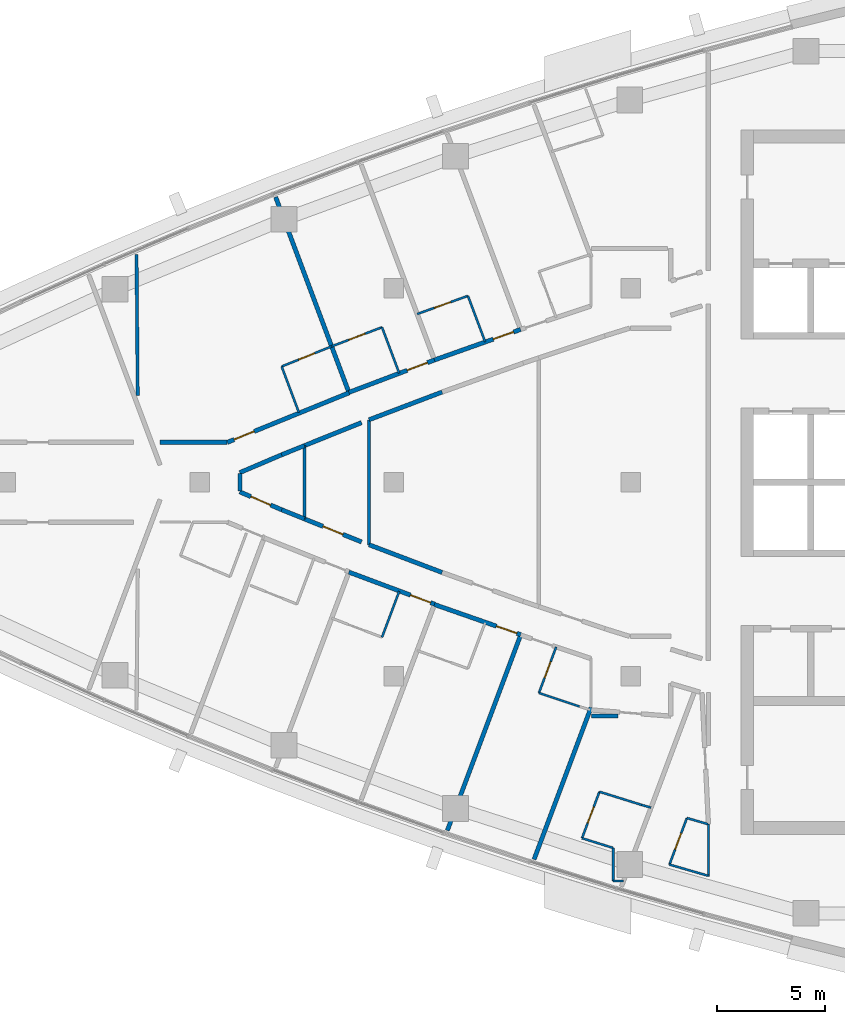
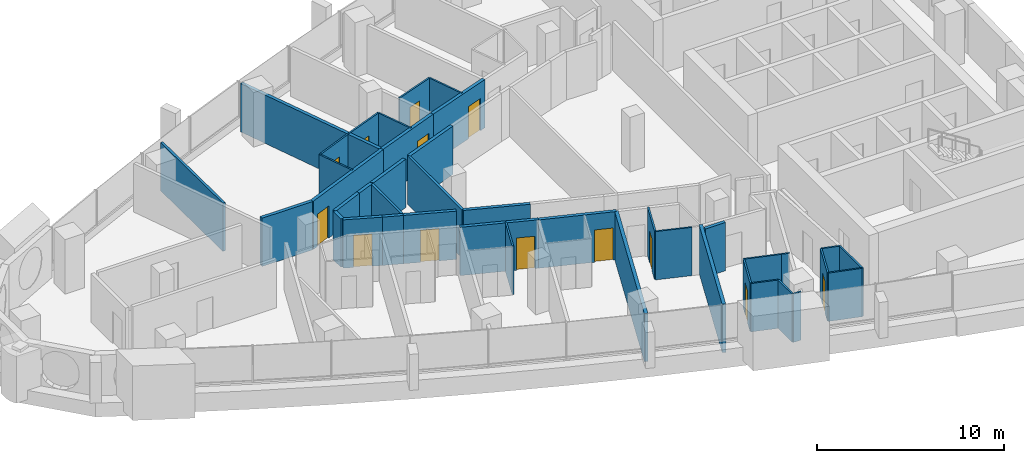
# One storey, part 9 of 16: 41 walls, 13 doors, 13 openings.
"""IFC4 building model written with IfcOpenShell, lengths in metres."""

from ifc_helpers import new_model, si_unit, direction, frame, frame_2d, origin, place, context, subcontext, project, spatial, rectangle, extrude, material, layer, layer_set, type_object, element, fill, save


model = new_model("IFC4")

# Units and contexts
model_context = context("Model", 3, precision=1e-05, world=origin(), true_north=direction((0.0, 1.0)))
body_context = subcontext(model_context, "Body", "Model", "MODEL_VIEW")
ifc_project = project(units=[si_unit("LENGTHUNIT", "METRE"), si_unit("AREAUNIT", "SQUARE_METRE"), si_unit("VOLUMEUNIT", "CUBIC_METRE"), si_unit("PLANEANGLEUNIT", "RADIAN"), si_unit("MASSUNIT", "GRAM", prefix="KILO")], contexts=[model_context])

# Site, building, storey
site_placement = place(None, origin())
site = spatial("IfcSite", under=ifc_project, at=site_placement, CompositionType="ELEMENT")
building_placement = place(site_placement, origin())
building = spatial("IfcBuilding", under=site, at=building_placement, Name="Ostrand Prow Hotel Tower", CompositionType="ELEMENT")
storey_placement = place(building_placement, frame((0.0, 0.0, 252.75)))
storey = spatial("IfcBuildingStorey", under=building, at=storey_placement, Name="L64", CompositionType="ELEMENT", Elevation=252.75)

# Wall, opening, door
ifc_material_1 = material(Name="Plasterboard partition")
ifc_layer_1 = layer(ifc_material_1, 0.10009765625)
ifc_layer_set_1 = layer_set([ifc_layer_1], Name="Plasterboard partition")
wall_type_1 = type_object("IfcWallType", Name="Partition 100 bathroom wall", PredefinedType="PARTITIONING", material=ifc_layer_set_1)
wall_1_placement = place(storey_placement, frame((28.79296875, 5.37158203125, 0.0), z_axis=(0.0, 0.0, 1.0), x_axis=(0.92761232595, 0.373544338394, 0.0)))
wall_1 = element("IfcWall", 1, at=wall_1_placement, inside=storey, type_object=wall_type_1, Name="BATHROOM WALL", PredefinedType="PARTITIONING", context=body_context, shape_type="SweptSolid", body=[
    extrude(rectangle(XDim=2.50048828125, YDim=0.10009765625, at=frame_2d((1.250244140625, 0.0))), origin(), (0.0, 0.0, 1.0), 3.14990234375),
])
opening_1_placement = place(wall_1_placement, frame((0.85009765625, 0.0, 0.0)))
opening_1 = element("IfcOpeningElement", 2, at=opening_1_placement, cuts=wall_1, Name="Opening D2", PredefinedType="OPENING", context=body_context, shape_type="SweptSolid", body=[
    extrude(rectangle(XDim=0.800048828125, YDim=2.10009765625, at=frame_2d((0.39990234375, 1.050048828125))), frame((0.0, 0.06005859375, 0.0), z_axis=(0.0, -1.0, 0.0), x_axis=(1.0, 0.0, 0.0)), (0.0, 0.0, 1.0), 0.1201171875),
])
ifc_material_2 = material(Name="Timber door leaf", Category="wood")
door_type_1 = type_object("IfcDoorType", Name="Bathroom door 800", OperationType="SINGLE_SWING_LEFT", PredefinedType="DOOR", material=ifc_material_2)
door_1_placement = place(opening_1_placement, origin())
door_1 = element("IfcDoor", 3, at=door_1_placement, inside=storey, type_object=door_type_1, Name="DOOR", OperationType="SINGLE_SWING_LEFT", OverallHeight=2.10009765625, OverallWidth=0.800048828125, PredefinedType="DOOR", context=body_context, shape_type="SweptSolid", body=[
    extrude(rectangle(XDim=0.800048828125, YDim=2.10009765625, at=frame_2d((0.39990234375, 1.050048828125))), frame((0.0, 0.02490234375, 0.0), z_axis=(0.0, -1.0, 0.0), x_axis=(1.0, 0.0, 0.0)), (0.0, 0.0, 1.0), 0.050048828125),
])
fill(opening_1, door_1)

# Wall
wall_2_placement = place(storey_placement, frame((29.592529296875, 3.23876953125, 0.0), z_axis=(0.0, 0.0, 1.0), x_axis=(-0.351158682313, 0.936315961541, 0.0)))
element("IfcWall", 4, at=wall_2_placement, inside=storey, type_object=wall_type_1, Name="BATHROOM WALL", PredefinedType="PARTITIONING", context=body_context, shape_type="SweptSolid", body=[
    extrude(rectangle(XDim=2.277587890625, YDim=0.10009765625, at=frame_2d((1.138671875, 0.0))), origin(), (0.0, 0.0, 1.0), 3.14990234375),
])

# Wall, opening, door
wall_3_placement = place(storey_placement, frame((31.117431640625, 6.3076171875, 0.0), z_axis=(0.0, 0.0, 1.0), x_axis=(0.93495051617, 0.354778145202, 0.0)))
wall_3 = element("IfcWall", 5, at=wall_3_placement, inside=storey, type_object=wall_type_1, Name="BATHROOM WALL", PredefinedType="PARTITIONING", context=body_context, shape_type="SweptSolid", body=[
    extrude(rectangle(XDim=2.49462890625, YDim=0.10009765625, at=frame_2d((1.247314453125, 0.0))), origin(), (0.0, 0.0, 1.0), 3.14990234375),
])
opening_2_placement = place(wall_3_placement, frame((0.85009765625, 0.0, 0.0)))
opening_2 = element("IfcOpeningElement", 6, at=opening_2_placement, cuts=wall_3, Name="Opening D2", PredefinedType="OPENING", context=body_context, shape_type="SweptSolid", body=[
    extrude(rectangle(XDim=0.800048828125, YDim=2.10009765625, at=frame_2d((0.39990234375, 1.050048828125))), frame((0.0, 0.06005859375, 0.0), z_axis=(0.0, -1.0, 0.0), x_axis=(1.0, 0.0, 0.0)), (0.0, 0.0, 1.0), 0.1201171875),
])
door_2_placement = place(opening_2_placement, origin())
door_2 = element("IfcDoor", 7, at=door_2_placement, inside=storey, type_object=door_type_1, Name="DOOR", OperationType="SINGLE_SWING_LEFT", OverallHeight=2.10009765625, OverallWidth=0.800048828125, PredefinedType="DOOR", context=body_context, shape_type="SweptSolid", body=[
    extrude(rectangle(XDim=0.800048828125, YDim=2.10009765625, at=frame_2d((0.39990234375, 1.050048828125))), frame((0.0, 0.02490234375, 0.0), z_axis=(0.0, -1.0, 0.0), x_axis=(1.0, 0.0, 0.0)), (0.0, 0.0, 1.0), 0.050048828125),
])
fill(opening_2, door_2)

# Wall
wall_4_placement = place(storey_placement, frame((33.449951171875, 7.192626953125, 0.0), z_axis=(0.0, 0.0, 1.0), x_axis=(0.351135191353, -0.936324771323, 0.0)))
element("IfcWall", 8, at=wall_4_placement, inside=storey, type_object=wall_type_1, Name="BATHROOM WALL", PredefinedType="PARTITIONING", context=body_context, shape_type="SweptSolid", body=[
    extrude(rectangle(XDim=2.277099609375, YDim=0.10009765625, at=frame_2d((1.138671875, 0.0))), origin(), (0.0, 0.0, 1.0), 3.14990234375),
])

# Wall, opening, door
wall_5_placement = place(storey_placement, frame((35.081298828125, 7.80810546875, 0.0), z_axis=(0.0, 0.0, 1.0), x_axis=(0.941896455552, 0.335903359641, 0.0)))
wall_5 = element("IfcWall", 9, at=wall_5_placement, inside=storey, type_object=wall_type_1, Name="BATHROOM WALL", PredefinedType="PARTITIONING", context=body_context, shape_type="SweptSolid", body=[
    extrude(rectangle(XDim=2.500244140625, YDim=0.10009765625, at=frame_2d((1.25, 0.0))), origin(), (0.0, 0.0, 1.0), 3.14990234375),
])
opening_3_placement = place(wall_5_placement, frame((0.85009765625, 0.0, 0.0)))
opening_3 = element("IfcOpeningElement", 10, at=opening_3_placement, cuts=wall_5, Name="Opening D2", PredefinedType="OPENING", context=body_context, shape_type="SweptSolid", body=[
    extrude(rectangle(XDim=0.800048828125, YDim=2.10009765625, at=frame_2d((0.39990234375, 1.050048828125))), frame((0.0, 0.06005859375, 0.0), z_axis=(0.0, -1.0, 0.0), x_axis=(1.0, 0.0, 0.0)), (0.0, 0.0, 1.0), 0.1201171875),
])
door_3_placement = place(opening_3_placement, origin())
door_3 = element("IfcDoor", 11, at=door_3_placement, inside=storey, type_object=door_type_1, Name="DOOR", OperationType="SINGLE_SWING_LEFT", OverallHeight=2.10009765625, OverallWidth=0.800048828125, PredefinedType="DOOR", context=body_context, shape_type="SweptSolid", body=[
    extrude(rectangle(XDim=0.800048828125, YDim=2.10009765625, at=frame_2d((0.39990234375, 1.050048828125))), frame((0.0, 0.02490234375, 0.0), z_axis=(0.0, -1.0, 0.0), x_axis=(1.0, 0.0, 0.0)), (0.0, 0.0, 1.0), 0.050048828125),
])
fill(opening_3, door_3)

# Walls
for number, where, z_axis, x_axis, name in (
    (12, (37.436279296875, 8.647705078125, 0.0), (0.0, 0.0, 1.0), (0.351229183496, -0.936289517543, 0.0), "BATHROOM WALL"),
    (13, (34.24951171875, -5.060546875, 0.0), (0.0, 0.0, 1.0), (-0.351135191353, -0.936324771323, 0.0), "BATHROOM WALL"),
):
    element("IfcWall", number, at=place(storey_placement, frame(where, z_axis=z_axis, x_axis=x_axis)), inside=storey, type_object=wall_type_1, Name=name, PredefinedType="PARTITIONING", context=body_context, shape_type="SweptSolid", body=[
        extrude(rectangle(XDim=2.277099609375, YDim=0.10009765625, at=frame_2d((1.138671875, 0.0))), origin(), (0.0, 0.0, 1.0), 3.14990234375),
    ])

# Wall, opening, door
wall_6_placement = place(storey_placement, frame((40.731689453125, -9.778564453125, 0.0), z_axis=(0.0, 0.0, 1.0), x_axis=(0.351146927505, 0.936320370014, 0.0)))
wall_6 = element("IfcWall", 14, at=wall_6_placement, inside=storey, type_object=wall_type_1, Name="BATHROOM WALL", PredefinedType="PARTITIONING", context=body_context, shape_type="SweptSolid", body=[
    extrude(rectangle(XDim=2.2783203125, YDim=0.10009765625, at=frame_2d((1.13916015625, 0.0))), origin(), (0.0, 0.0, 1.0), 3.14990234375),
])
opening_4_placement = place(wall_6_placement, frame((0.75, 0.0, 0.0)))
opening_4 = element("IfcOpeningElement", 15, at=opening_4_placement, cuts=wall_6, Name="Opening D2", PredefinedType="OPENING", context=body_context, shape_type="SweptSolid", body=[
    extrude(rectangle(XDim=0.800048828125, YDim=2.10009765625, at=frame_2d((0.39990234375, 1.050048828125))), frame((0.0, 0.06005859375, 0.0), z_axis=(0.0, -1.0, 0.0), x_axis=(1.0, 0.0, 0.0)), (0.0, 0.0, 1.0), 0.1201171875),
])
door_4_placement = place(opening_4_placement, origin())
door_4 = element("IfcDoor", 16, at=door_4_placement, inside=storey, type_object=door_type_1, Name="DOOR", OperationType="SINGLE_SWING_LEFT", OverallHeight=2.10009765625, OverallWidth=0.800048828125, PredefinedType="DOOR", context=body_context, shape_type="SweptSolid", body=[
    extrude(rectangle(XDim=0.800048828125, YDim=2.10009765625, at=frame_2d((0.39990234375, 1.050048828125))), frame((0.0, 0.02490234375, 0.0), z_axis=(0.0, -1.0, 0.0), x_axis=(1.0, 0.0, 0.0)), (0.0, 0.0, 1.0), 0.050048828125),
])
fill(opening_4, door_4)

# Walls
wall_7_placement = place(storey_placement, frame((42.62060546875, -10.409423828125, 0.0), z_axis=(0.0, 0.0, 1.0), x_axis=(-0.948499248693, 0.316779379426, 0.0)))
element("IfcWall", 17, at=wall_7_placement, inside=storey, type_object=wall_type_1, Name="BATHROOM WALL", PredefinedType="PARTITIONING", context=body_context, shape_type="SweptSolid", body=[
    extrude(rectangle(XDim=1.991455078125, YDim=0.10009765625, at=frame_2d((0.99560546875, 0.0))), origin(), (0.0, 0.0, 1.0), 3.14990234375),
])
wall_8_placement = place(storey_placement, frame((44.1767578125, -18.501220703125, 0.0), z_axis=(0.0, 0.0, 1.0), x_axis=(0.0, 1.0, 0.0)))
element("IfcWall", 18, at=wall_8_placement, inside=storey, type_object=wall_type_1, Name="BATHROOM WALL", PredefinedType="PARTITIONING", context=body_context, shape_type="SweptSolid", body=[
    extrude(rectangle(XDim=1.531005859375, YDim=0.10009765625, at=frame_2d((0.765625, 0.0))), origin(), (0.0, 0.0, 1.0), 3.14990234375),
])
wall_9_placement = place(storey_placement, frame((44.1767578125, -16.97021484375, 0.0), z_axis=(0.0, 0.0, 1.0), x_axis=(-0.954631901927, 0.297788401091, 0.0)))
element("IfcWall", 19, at=wall_9_placement, inside=storey, type_object=wall_type_1, Name="BATHROOM WALL", PredefinedType="PARTITIONING", context=body_context, shape_type="SweptSolid", body=[
    extrude(rectangle(XDim=1.51416015625, YDim=0.10009765625, at=frame_2d((0.757080078125, 0.0))), origin(), (0.0, 0.0, 1.0), 3.14990234375),
])

# Wall, opening, door
wall_10_placement = place(storey_placement, frame((42.731201171875, -16.519287109375, 0.0), z_axis=(0.0, 0.0, 1.0), x_axis=(0.351111827312, 0.936333532841, 0.0)))
wall_10 = element("IfcWall", 20, at=wall_10_placement, inside=storey, type_object=wall_type_1, Name="BATHROOM WALL", PredefinedType="PARTITIONING", context=body_context, shape_type="SweptSolid", body=[
    extrude(rectangle(XDim=2.3037109375, YDim=0.10009765625, at=frame_2d((1.15185546875, 0.0))), origin(), (0.0, 0.0, 1.0), 3.14990234375),
])
opening_5_placement = place(wall_10_placement, frame((0.75, 0.0, 0.0)))
opening_5 = element("IfcOpeningElement", 21, at=opening_5_placement, cuts=wall_10, Name="Opening D2", PredefinedType="OPENING", context=body_context, shape_type="SweptSolid", body=[
    extrude(rectangle(XDim=0.800048828125, YDim=2.10009765625, at=frame_2d((0.39990234375, 1.050048828125))), frame((0.0, 0.06005859375, 0.0), z_axis=(0.0, -1.0, 0.0), x_axis=(1.0, 0.0, 0.0)), (0.0, 0.0, 1.0), 0.1201171875),
])
door_5_placement = place(opening_5_placement, origin())
door_5 = element("IfcDoor", 22, at=door_5_placement, inside=storey, type_object=door_type_1, Name="DOOR", OperationType="SINGLE_SWING_LEFT", OverallHeight=2.10009765625, OverallWidth=0.800048828125, PredefinedType="DOOR", context=body_context, shape_type="SweptSolid", body=[
    extrude(rectangle(XDim=0.800048828125, YDim=2.10009765625, at=frame_2d((0.39990234375, 1.050048828125))), frame((0.0, 0.02490234375, 0.0), z_axis=(0.0, -1.0, 0.0), x_axis=(1.0, 0.0, 0.0)), (0.0, 0.0, 1.0), 0.050048828125),
])
fill(opening_5, door_5)

# Walls
wall_11_placement = place(storey_placement, frame((43.5400390625, -14.3623046875, 0.0), z_axis=(0.0, 0.0, 1.0), x_axis=(0.954642821531, -0.297753393432, 0.0)))
element("IfcWall", 23, at=wall_11_placement, inside=storey, type_object=wall_type_1, Name="BATHROOM WALL", PredefinedType="PARTITIONING", context=body_context, shape_type="SweptSolid", body=[
    extrude(rectangle(XDim=2.05224609375, YDim=0.10009765625, at=frame_2d((1.026123046875, 0.0))), origin(), (0.0, 0.0, 1.0), 3.14990234375),
])
wall_12_placement = place(storey_placement, frame((45.499267578125, -14.973388671875, 0.0), z_axis=(0.0, 0.0, 1.0), x_axis=(0.960560469191, -0.278071186978, 0.0)))
element("IfcWall", 24, at=wall_12_placement, inside=storey, type_object=wall_type_1, Name="BATHROOM WALL", PredefinedType="PARTITIONING", context=body_context, shape_type="SweptSolid", body=[
    extrude(rectangle(XDim=0.4521484375, YDim=0.10009765625, at=frame_2d((0.22607421875, 0.0))), origin(), (0.0, 0.0, 1.0), 3.14990234375),
])
wall_13_placement = place(storey_placement, frame((44.658203125, -18.501220703125, 0.0), z_axis=(0.0, 0.0, 1.0), x_axis=(-1.0, 0.0, 0.0)))
element("IfcWall", 25, at=wall_13_placement, inside=storey, type_object=wall_type_1, Name="BATHROOM WALL", PredefinedType="PARTITIONING", context=body_context, shape_type="SweptSolid", body=[
    extrude(rectangle(XDim=0.4814453125, YDim=0.10009765625, at=frame_2d((0.24072265625, 0.0))), origin(), (0.0, 0.0, 1.0), 3.14990234375),
])

# Wall, opening, door
wall_14_placement = place(storey_placement, frame((46.78759765625, -17.741455078125, 0.0), z_axis=(0.0, 0.0, 1.0), x_axis=(0.351158236187, 0.936316128857, 0.0)))
wall_14 = element("IfcWall", 26, at=wall_14_placement, inside=storey, type_object=wall_type_1, Name="BATHROOM WALL", PredefinedType="PARTITIONING", context=body_context, shape_type="SweptSolid", body=[
    extrude(rectangle(XDim=2.306884765625, YDim=0.10009765625, at=frame_2d((1.1533203125, 0.0))), origin(), (0.0, 0.0, 1.0), 3.14990234375),
])
opening_6_placement = place(wall_14_placement, frame((0.75, 0.0, 0.0)))
opening_6 = element("IfcOpeningElement", 27, at=opening_6_placement, cuts=wall_14, Name="Opening D2", PredefinedType="OPENING", context=body_context, shape_type="SweptSolid", body=[
    extrude(rectangle(XDim=0.800048828125, YDim=2.10009765625, at=frame_2d((0.39990234375, 1.050048828125))), frame((0.0, 0.06005859375, 0.0), z_axis=(0.0, -1.0, 0.0), x_axis=(1.0, 0.0, 0.0)), (0.0, 0.0, 1.0), 0.1201171875),
])
door_6_placement = place(opening_6_placement, origin())
door_6 = element("IfcDoor", 28, at=door_6_placement, inside=storey, type_object=door_type_1, Name="DOOR", OperationType="SINGLE_SWING_LEFT", OverallHeight=2.10009765625, OverallWidth=0.800048828125, PredefinedType="DOOR", context=body_context, shape_type="SweptSolid", body=[
    extrude(rectangle(XDim=0.800048828125, YDim=2.10009765625, at=frame_2d((0.39990234375, 1.050048828125))), frame((0.0, 0.02490234375, 0.0), z_axis=(0.0, -1.0, 0.0), x_axis=(1.0, 0.0, 0.0)), (0.0, 0.0, 1.0), 0.050048828125),
])
fill(opening_6, door_6)

# Walls
wall_15_placement = place(storey_placement, frame((47.59765625, -15.58154296875, 0.0), z_axis=(0.0, 0.0, 1.0), x_axis=(0.960468222897, -0.278389642057, 0.0)))
element("IfcWall", 29, at=wall_15_placement, inside=storey, type_object=wall_type_1, Name="BATHROOM WALL", PredefinedType="PARTITIONING", context=body_context, shape_type="SweptSolid", body=[
    extrude(rectangle(XDim=1.01904296875, YDim=0.10009765625, at=frame_2d((0.509521484375, 0.0))), origin(), (0.0, 0.0, 1.0), 3.14990234375),
])
wall_16_placement = place(storey_placement, frame((48.57763671875, -18.26025390625, 0.0), z_axis=(0.0, 0.0, 1.0), x_axis=(-0.960473980386, 0.278369777458, 0.0)))
element("IfcWall", 30, at=wall_16_placement, inside=storey, type_object=wall_type_1, Name="BATHROOM WALL", PredefinedType="PARTITIONING", context=body_context, shape_type="SweptSolid", body=[
    extrude(rectangle(XDim=1.86376953125, YDim=0.10009765625, at=frame_2d((0.931884765625, 0.0))), origin(), (0.0, 0.0, 1.0), 3.14990234375),
])
wall_17_placement = place(storey_placement, frame((48.594970703125, -15.86572265625, 0.0), z_axis=(0.0, 0.0, 1.0), x_axis=(0.0, -1.0, 0.0)))
element("IfcWall", 31, at=wall_17_placement, inside=storey, type_object=wall_type_1, Name="BATHROOM WALL", PredefinedType="PARTITIONING", context=body_context, shape_type="SweptSolid", body=[
    extrude(rectangle(XDim=2.4306640625, YDim=0.10009765625, at=frame_2d((1.21533203125, 0.0))), origin(), (0.0, 0.0, 1.0), 3.14990234375),
])
ifc_material_3 = material(Name="Plasterboard partition")
ifc_layer_2 = layer(ifc_material_3, 0.14990234375)
ifc_layer_set_2 = layer_set([ifc_layer_2], Name="Plasterboard partition")
wall_type_2 = type_object("IfcWallType", Name="Partition 150 room partition", PredefinedType="PARTITIONING", material=ifc_layer_set_2)
wall_18_placement = place(storey_placement, frame((29.85009765625, -1.70068359375, 0.0), z_axis=(0.0, 0.0, 1.0), x_axis=(0.0, 1.0, 0.0)))
element("IfcWall", 32, at=wall_18_placement, inside=storey, type_object=wall_type_2, Name="ROOM PARTITION", PredefinedType="PARTITIONING", context=body_context, shape_type="SweptSolid", body=[
    extrude(rectangle(XDim=3.4013671875, YDim=0.14990234375, at=frame_2d((1.70068359375, 0.0))), origin(), (0.0, 0.0, 1.0), 3.14990234375),
])
wall_19_placement = place(storey_placement, frame((32.85009765625, -2.900634765625, 0.0), z_axis=(0.0, 0.0, 1.0), x_axis=(0.0, 1.0, 0.0)))
element("IfcWall", 33, at=wall_19_placement, inside=storey, type_object=wall_type_2, Name="ROOM PARTITION", PredefinedType="PARTITIONING", context=body_context, shape_type="SweptSolid", body=[
    extrude(rectangle(XDim=5.80126953125, YDim=0.14990234375, at=frame_2d((2.900634765625, 0.0))), origin(), (0.0, 0.0, 1.0), 3.14990234375),
])
wall_20_placement = place(storey_placement, frame((22.057373046875, 10.577880859375, 0.0), z_axis=(0.0, 0.0, 1.0), x_axis=(0.008379594055, -0.999964890585, 0.0)))
element("IfcWall", 34, at=wall_20_placement, inside=storey, type_object=wall_type_2, Name="ROOM PARTITION", PredefinedType="PARTITIONING", context=body_context, shape_type="SweptSolid", body=[
    extrude(rectangle(XDim=6.555419921875, YDim=0.14990234375, at=frame_2d((3.27783203125, 0.0))), origin(), (0.0, 0.0, 1.0), 3.14990234375),
])

# Wall, opening, door
ifc_material_4 = material(Name="Plasterboard partition")
ifc_layer_3 = layer(ifc_material_4, 0.199951171875)
ifc_layer_set_3 = layer_set([ifc_layer_3], Name="Plasterboard partition")
wall_type_3 = type_object("IfcWallType", Name="Partition 200 corridor wall", PredefinedType="PARTITIONING", material=ifc_layer_set_3)
wall_21_placement = place(storey_placement, frame((26.265869140625, 1.85009765625, 0.0), z_axis=(0.0, 0.0, 1.0), x_axis=(0.926231512449, 0.376955150311, 0.0)))
wall_21 = element("IfcWall", 35, at=wall_21_placement, inside=storey, type_object=wall_type_3, Name="CORRIDOR WALL", PredefinedType="PARTITIONING", context=body_context, shape_type="SweptSolid", body=[
    extrude(rectangle(XDim=6.10498046875, YDim=0.199951171875, at=frame_2d((3.052490234375, 0.0))), origin(), (0.0, 0.0, 1.0), 3.14990234375),
])
opening_7_placement = place(wall_21_placement, frame((0.35009765625, 0.0, 0.0)))
opening_7 = element("IfcOpeningElement", 36, at=opening_7_placement, cuts=wall_21, Name="Opening D1", PredefinedType="OPENING", context=body_context, shape_type="SweptSolid", body=[
    extrude(rectangle(XDim=1.0, YDim=2.10009765625, at=frame_2d((0.5, 1.050048828125))), frame((0.0, 0.10986328125, 0.0), z_axis=(0.0, -1.0, 0.0), x_axis=(1.0, 0.0, 0.0)), (0.0, 0.0, 1.0), 0.219970703125),
])
ifc_material_5 = material(Name="Timber door leaf", Category="wood")
door_type_2 = type_object("IfcDoorType", Name="Guest room door 1000", OperationType="SINGLE_SWING_LEFT", PredefinedType="DOOR", material=ifc_material_5)
door_7_placement = place(opening_7_placement, origin())
door_7 = element("IfcDoor", 37, at=door_7_placement, inside=storey, type_object=door_type_2, Name="DOOR", OperationType="SINGLE_SWING_LEFT", OverallHeight=2.10009765625, OverallWidth=1.0, PredefinedType="DOOR", context=body_context, shape_type="SweptSolid", body=[
    extrude(rectangle(XDim=1.0, YDim=2.10009765625, at=frame_2d((0.5, 1.050048828125))), frame((0.0, 0.02490234375, 0.0), z_axis=(0.0, -1.0, 0.0), x_axis=(1.0, 0.0, 0.0)), (0.0, 0.0, 1.0), 0.050048828125),
])
fill(opening_7, door_7)

wall_22_placement = place(storey_placement, frame((35.882080078125, 5.673095703125, 0.0), z_axis=(0.0, 0.0, 1.0), x_axis=(-0.935189471058, -0.354147784438, 0.0)))
wall_22 = element("IfcWall", 38, at=wall_22_placement, inside=storey, type_object=wall_type_3, Name="CORRIDOR WALL", PredefinedType="PARTITIONING", context=body_context, shape_type="SweptSolid", body=[
    extrude(rectangle(XDim=4.243896484375, YDim=0.199951171875, at=frame_2d((2.1220703125, 0.0))), origin(), (0.0, 0.0, 1.0), 3.14990234375),
])
opening_8_placement = place(wall_22_placement, frame((0.35009765625, 0.0, 0.0)))
opening_8 = element("IfcOpeningElement", 39, at=opening_8_placement, cuts=wall_22, Name="Opening D1", PredefinedType="OPENING", context=body_context, shape_type="SweptSolid", body=[
    extrude(rectangle(XDim=1.0, YDim=2.10009765625, at=frame_2d((0.5, 1.050048828125))), frame((0.0, 0.10986328125, 0.0), z_axis=(0.0, -1.0, 0.0), x_axis=(1.0, 0.0, 0.0)), (0.0, 0.0, 1.0), 0.219970703125),
])
door_8_placement = place(opening_8_placement, origin())
door_8 = element("IfcDoor", 40, at=door_8_placement, inside=storey, type_object=door_type_2, Name="DOOR", OperationType="SINGLE_SWING_LEFT", OverallHeight=2.10009765625, OverallWidth=1.0, PredefinedType="DOOR", context=body_context, shape_type="SweptSolid", body=[
    extrude(rectangle(XDim=1.0, YDim=2.10009765625, at=frame_2d((0.5, 1.050048828125))), frame((0.0, 0.02490234375, 0.0), z_axis=(0.0, -1.0, 0.0), x_axis=(1.0, 0.0, 0.0)), (0.0, 0.0, 1.0), 0.050048828125),
])
fill(opening_8, door_8)

wall_23_placement = place(storey_placement, frame((39.88232421875, 7.091064453125, 0.0), z_axis=(0.0, 0.0, 1.0), x_axis=(-0.942537055217, -0.334101630559, 0.0)))
wall_23 = element("IfcWall", 41, at=wall_23_placement, inside=storey, type_object=wall_type_3, Name="CORRIDOR WALL", PredefinedType="PARTITIONING", context=body_context, shape_type="SweptSolid", body=[
    extrude(rectangle(XDim=4.244140625, YDim=0.199951171875, at=frame_2d((2.1220703125, 0.0))), origin(), (0.0, 0.0, 1.0), 3.14990234375),
])
opening_9_placement = place(wall_23_placement, frame((0.35009765625, 0.0, 0.0)))
opening_9 = element("IfcOpeningElement", 42, at=opening_9_placement, cuts=wall_23, Name="Opening D1", PredefinedType="OPENING", context=body_context, shape_type="SweptSolid", body=[
    extrude(rectangle(XDim=1.0, YDim=2.10009765625, at=frame_2d((0.5, 1.050048828125))), frame((0.0, 0.10986328125, 0.0), z_axis=(0.0, -1.0, 0.0), x_axis=(1.0, 0.0, 0.0)), (0.0, 0.0, 1.0), 0.219970703125),
])
door_9_placement = place(opening_9_placement, origin())
door_9 = element("IfcDoor", 43, at=door_9_placement, inside=storey, type_object=door_type_2, Name="DOOR", OperationType="SINGLE_SWING_LEFT", OverallHeight=2.10009765625, OverallWidth=1.0, PredefinedType="DOOR", context=body_context, shape_type="SweptSolid", body=[
    extrude(rectangle(XDim=1.0, YDim=2.10009765625, at=frame_2d((0.5, 1.050048828125))), frame((0.0, 0.02490234375, 0.0), z_axis=(0.0, -1.0, 0.0), x_axis=(1.0, 0.0, 0.0)), (0.0, 0.0, 1.0), 0.050048828125),
])
fill(opening_9, door_9)

wall_24_placement = place(storey_placement, frame((31.913330078125, -4.170166015625, 0.0), z_axis=(0.0, 0.0, 1.0), x_axis=(0.936848300955, -0.349735987565, 0.0)))
wall_24 = element("IfcWall", 44, at=wall_24_placement, inside=storey, type_object=wall_type_3, Name="CORRIDOR WALL", PredefinedType="PARTITIONING", context=body_context, shape_type="SweptSolid", body=[
    extrude(rectangle(XDim=4.24365234375, YDim=0.199951171875, at=frame_2d((2.121826171875, 0.0))), origin(), (0.0, 0.0, 1.0), 3.14990234375),
])
opening_10_placement = place(wall_24_placement, frame((3.050048828125, 0.0, 0.0)))
opening_10 = element("IfcOpeningElement", 45, at=opening_10_placement, cuts=wall_24, Name="Opening D1", PredefinedType="OPENING", context=body_context, shape_type="SweptSolid", body=[
    extrude(rectangle(XDim=1.0, YDim=2.10009765625, at=frame_2d((0.5, 1.050048828125))), frame((0.0, 0.10986328125, 0.0), z_axis=(0.0, -1.0, 0.0), x_axis=(1.0, 0.0, 0.0)), (0.0, 0.0, 1.0), 0.219970703125),
])
door_10_placement = place(opening_10_placement, origin())
door_10 = element("IfcDoor", 46, at=door_10_placement, inside=storey, type_object=door_type_2, Name="DOOR", OperationType="SINGLE_SWING_LEFT", OverallHeight=2.10009765625, OverallWidth=1.0, PredefinedType="DOOR", context=body_context, shape_type="SweptSolid", body=[
    extrude(rectangle(XDim=1.0, YDim=2.10009765625, at=frame_2d((0.5, 1.050048828125))), frame((0.0, 0.02490234375, 0.0), z_axis=(0.0, -1.0, 0.0), x_axis=(1.0, 0.0, 0.0)), (0.0, 0.0, 1.0), 0.050048828125),
])
fill(opening_10, door_10)

wall_25_placement = place(storey_placement, frame((35.882080078125, -5.673095703125, 0.0), z_axis=(0.0, 0.0, 1.0), x_axis=(0.944107376821, -0.329638075823, 0.0)))
wall_25 = element("IfcWall", 47, at=wall_25_placement, inside=storey, type_object=wall_type_3, Name="CORRIDOR WALL", PredefinedType="PARTITIONING", context=body_context, shape_type="SweptSolid", body=[
    extrude(rectangle(XDim=4.24462890625, YDim=0.199951171875, at=frame_2d((2.122314453125, 0.0))), origin(), (0.0, 0.0, 1.0), 3.14990234375),
])
opening_11_placement = place(wall_25_placement, frame((3.050048828125, 0.0, 0.0)))
opening_11 = element("IfcOpeningElement", 48, at=opening_11_placement, cuts=wall_25, Name="Opening D1", PredefinedType="OPENING", context=body_context, shape_type="SweptSolid", body=[
    extrude(rectangle(XDim=1.0, YDim=2.10009765625, at=frame_2d((0.5, 1.050048828125))), frame((0.0, 0.10986328125, 0.0), z_axis=(0.0, -1.0, 0.0), x_axis=(1.0, 0.0, 0.0)), (0.0, 0.0, 1.0), 0.219970703125),
])
door_11_placement = place(opening_11_placement, origin())
door_11 = element("IfcDoor", 49, at=door_11_placement, inside=storey, type_object=door_type_2, Name="DOOR", OperationType="SINGLE_SWING_LEFT", OverallHeight=2.10009765625, OverallWidth=1.0, PredefinedType="DOOR", context=body_context, shape_type="SweptSolid", body=[
    extrude(rectangle(XDim=1.0, YDim=2.10009765625, at=frame_2d((0.5, 1.050048828125))), frame((0.0, 0.02490234375, 0.0), z_axis=(0.0, -1.0, 0.0), x_axis=(1.0, 0.0, 0.0)), (0.0, 0.0, 1.0), 0.050048828125),
])
fill(opening_11, door_11)

wall_26_placement = place(storey_placement, frame((28.795654296875, -1.276123046875, 0.0), z_axis=(0.0, 0.0, 1.0), x_axis=(-0.91990756443, 0.392135273732, 0.0)))
wall_26 = element("IfcWall", 50, at=wall_26_placement, inside=storey, type_object=wall_type_3, Name="CORRIDOR WALL", PredefinedType="PARTITIONING", context=body_context, shape_type="SweptSolid", body=[
    extrude(rectangle(XDim=2.114990234375, YDim=0.199951171875, at=frame_2d((1.0576171875, 0.0))), origin(), (0.0, 0.0, 1.0), 3.14990234375),
])
opening_12_placement = place(wall_26_placement, frame((0.5576171875, 0.0, 0.0)))
opening_12 = element("IfcOpeningElement", 51, at=opening_12_placement, cuts=wall_26, Name="Opening D1R", PredefinedType="OPENING", context=body_context, shape_type="SweptSolid", body=[
    extrude(rectangle(XDim=1.0, YDim=2.10009765625, at=frame_2d((0.5, 1.050048828125))), frame((0.0, 0.10986328125, 0.0), z_axis=(0.0, -1.0, 0.0), x_axis=(1.0, 0.0, 0.0)), (0.0, 0.0, 1.0), 0.219970703125),
])
ifc_material_6 = material(Name="Timber door leaf", Category="wood")
door_type_3 = type_object("IfcDoorType", Name="Guest room door 1000 right", OperationType="SINGLE_SWING_RIGHT", PredefinedType="DOOR", material=ifc_material_6)
door_12_placement = place(opening_12_placement, origin())
door_12 = element("IfcDoor", 52, at=door_12_placement, inside=storey, type_object=door_type_3, Name="DOOR", OperationType="SINGLE_SWING_RIGHT", OverallHeight=2.10009765625, OverallWidth=1.0, PredefinedType="DOOR", context=body_context, shape_type="SweptSolid", body=[
    extrude(rectangle(XDim=1.0, YDim=2.10009765625, at=frame_2d((0.5, 1.050048828125))), frame((0.0, 0.02490234375, 0.0), z_axis=(0.0, -1.0, 0.0), x_axis=(1.0, 0.0, 0.0)), (0.0, 0.0, 1.0), 0.050048828125),
])
fill(opening_12, door_12)

# Walls
wall_27_placement = place(storey_placement, frame((26.85009765625, 0.44677734375, 0.0), z_axis=(0.0, 0.0, 1.0), x_axis=(0.91990756443, 0.392135273732, 0.0)))
element("IfcWall", 53, at=wall_27_placement, inside=storey, type_object=wall_type_3, Name="CORRIDOR WALL", PredefinedType="PARTITIONING", context=body_context, shape_type="SweptSolid", body=[
    extrude(rectangle(XDim=2.114990234375, YDim=0.199951171875, at=frame_2d((1.0576171875, 0.0))), origin(), (0.0, 0.0, 1.0), 3.14990234375),
])
for number, where, z_axis, x_axis, name in (
    (54, (28.795654296875, 1.276123046875, 0.0), (0.0, 0.0, 1.0), (0.927629988441, 0.373500474624, 0.0), "CORRIDOR WALL"),
    (55, (29.85009765625, -1.70068359375, 0.0), (0.0, 0.0, 1.0), (-0.927629988441, 0.373500474624, 0.0), "CORRIDOR WALL"),
):
    element("IfcWall", number, at=place(storey_placement, frame(where, z_axis=z_axis, x_axis=x_axis)), inside=storey, type_object=wall_type_3, Name=name, PredefinedType="PARTITIONING", context=body_context, shape_type="SweptSolid", body=[
        extrude(rectangle(XDim=1.13671875, YDim=0.199951171875, at=frame_2d((0.568359375, 0.0))), origin(), (0.0, 0.0, 1.0), 3.14990234375),
    ])

# Wall, opening, door
wall_28_placement = place(storey_placement, frame((32.50146484375, -2.768310546875, 0.0), z_axis=(0.0, 0.0, 1.0), x_axis=(-0.927620073141, 0.373525099433, 0.0)))
wall_28 = element("IfcWall", 56, at=wall_28_placement, inside=storey, type_object=wall_type_3, Name="CORRIDOR WALL", PredefinedType="PARTITIONING", context=body_context, shape_type="SweptSolid", body=[
    extrude(rectangle(XDim=2.858154296875, YDim=0.199951171875, at=frame_2d((1.42919921875, 0.0))), origin(), (0.0, 0.0, 1.0), 3.14990234375),
])
opening_13_placement = place(wall_28_placement, frame((0.92919921875, 0.0, 0.0)))
opening_13 = element("IfcOpeningElement", 57, at=opening_13_placement, cuts=wall_28, Name="Opening D1", PredefinedType="OPENING", context=body_context, shape_type="SweptSolid", body=[
    extrude(rectangle(XDim=1.0, YDim=2.10009765625, at=frame_2d((0.5, 1.050048828125))), frame((0.0, 0.10986328125, 0.0), z_axis=(0.0, -1.0, 0.0), x_axis=(1.0, 0.0, 0.0)), (0.0, 0.0, 1.0), 0.219970703125),
])
door_13_placement = place(opening_13_placement, origin())
door_13 = element("IfcDoor", 58, at=door_13_placement, inside=storey, type_object=door_type_2, Name="DOOR", OperationType="SINGLE_SWING_LEFT", OverallHeight=2.10009765625, OverallWidth=1.0, PredefinedType="DOOR", context=body_context, shape_type="SweptSolid", body=[
    extrude(rectangle(XDim=1.0, YDim=2.10009765625, at=frame_2d((0.5, 1.050048828125))), frame((0.0, 0.02490234375, 0.0), z_axis=(0.0, -1.0, 0.0), x_axis=(1.0, 0.0, 0.0)), (0.0, 0.0, 1.0), 0.050048828125),
])
fill(opening_13, door_13)

# Walls
wall_29_placement = place(storey_placement, frame((29.85009765625, 1.70068359375, 0.0), z_axis=(0.0, 0.0, 1.0), x_axis=(0.927620073141, 0.373525099433, 0.0)))
element("IfcWall", 59, at=wall_29_placement, inside=storey, type_object=wall_type_3, Name="CORRIDOR WALL", PredefinedType="PARTITIONING", context=body_context, shape_type="SweptSolid", body=[
    extrude(rectangle(XDim=2.858154296875, YDim=0.199951171875, at=frame_2d((1.42919921875, 0.0))), origin(), (0.0, 0.0, 1.0), 3.14990234375),
])
for number, where, z_axis, x_axis, name in (
    (60, (36.236328125, -4.185546875, 0.0), (0.0, 0.0, 1.0), (-0.934953584606, 0.354770058816, 0.0), "CORRIDOR WALL"),
    (61, (32.85009765625, 2.900634765625, 0.0), (0.0, 0.0, 1.0), (0.934953584606, 0.354770058816, 0.0), "CORRIDOR WALL"),
):
    element("IfcWall", number, at=place(storey_placement, frame(where, z_axis=z_axis, x_axis=x_axis)), inside=storey, type_object=wall_type_3, Name=name, PredefinedType="PARTITIONING", context=body_context, shape_type="SweptSolid", body=[
        extrude(rectangle(XDim=3.621826171875, YDim=0.199951171875, at=frame_2d((1.81103515625, 0.0))), origin(), (0.0, 0.0, 1.0), 3.14990234375),
    ])
wall_30_placement = place(storey_placement, frame((26.85498046875, -0.406982421875, 0.0), z_axis=(0.0, 0.0, 1.0), x_axis=(0.0, 1.0, 0.0)))
element("IfcWall", 62, at=wall_30_placement, inside=storey, type_object=wall_type_3, Name="CORRIDOR WALL", PredefinedType="PARTITIONING", context=body_context, shape_type="SweptSolid", body=[
    extrude(rectangle(XDim=0.81396484375, YDim=0.199951171875, at=frame_2d((0.406982421875, 0.0))), origin(), (0.0, 0.0, 1.0), 3.14990234375),
])
wall_31_placement = place(storey_placement, frame((26.265869140625, 1.85009765625, 0.0), z_axis=(0.0, 0.0, 1.0), x_axis=(-0.999999006581, 0.001409552241, 0.0)))
element("IfcWall", 63, at=wall_31_placement, inside=storey, type_object=wall_type_3, Name="CORRIDOR WALL", PredefinedType="PARTITIONING", context=body_context, shape_type="SweptSolid", body=[
    extrude(rectangle(XDim=3.11767578125, YDim=0.199951171875, at=frame_2d((1.558837890625, 0.0))), origin(), (0.0, 0.0, 1.0), 3.14990234375),
])
wall_32_placement = place(storey_placement, frame((44.39599609375, -10.85009765625, 0.0), z_axis=(0.0, 0.0, 1.0), x_axis=(-1.0, 0.0, 0.0)))
element("IfcWall", 64, at=wall_32_placement, inside=storey, type_object=wall_type_3, Name="CORRIDOR WALL", PredefinedType="PARTITIONING", context=body_context, shape_type="SweptSolid", body=[
    extrude(rectangle(XDim=1.23583984375, YDim=0.199951171875, at=frame_2d((0.617919921875, 0.0))), origin(), (0.0, 0.0, 1.0), 3.14990234375),
])
ifc_material_7 = material(Name="Plasterboard partition")
ifc_layer_4 = layer(ifc_material_7, 0.199951171875)
ifc_layer_set_4 = layer_set([ifc_layer_4], Name="Plasterboard partition")
wall_type_4 = type_object("IfcWallType", Name="Partition 200 key partition", PredefinedType="PARTITIONING", material=ifc_layer_set_4)
wall_33_placement = place(storey_placement, frame((31.92041015625, 4.1513671875, 0.0), z_axis=(0.0, 0.0, 1.0), x_axis=(-0.351126199585, 0.936328143316, 0.0)))
element("IfcWall", 65, at=wall_33_placement, inside=storey, type_object=wall_type_4, Name="KEY PARTITION", PredefinedType="PARTITIONING", context=body_context, shape_type="SweptSolid", body=[
    extrude(rectangle(XDim=9.700927734375, YDim=0.199951171875, at=frame_2d((4.8505859375, 0.0))), origin(), (0.0, 0.0, 1.0), 3.14990234375),
])
wall_34_placement = place(storey_placement, frame((36.481201171875, -16.16064453125, 0.0), z_axis=(0.0, 0.0, 1.0), x_axis=(0.35112895446, 0.936327110224, 0.0)))
element("IfcWall", 66, at=wall_34_placement, inside=storey, type_object=wall_type_4, Name="KEY PARTITION", PredefinedType="PARTITIONING", context=body_context, shape_type="SweptSolid", body=[
    extrude(rectangle(XDim=9.706298828125, YDim=0.199951171875, at=frame_2d((4.85302734375, 0.0))), origin(), (0.0, 0.0, 1.0), 3.14990234375),
])
wall_35_placement = place(storey_placement, frame((40.505615234375, -17.50146484375, 0.0), z_axis=(0.0, 0.0, 1.0), x_axis=(0.351119888923, 0.936330509811, 0.0)))
element("IfcWall", 67, at=wall_35_placement, inside=storey, type_object=wall_type_4, Name="KEY PARTITION", PredefinedType="PARTITIONING", context=body_context, shape_type="SweptSolid", body=[
    extrude(rectangle(XDim=7.531005859375, YDim=0.199951171875, at=frame_2d((3.765625, 0.0))), origin(), (0.0, 0.0, 1.0), 3.14990234375),
])

save(model, "model.ifc")
